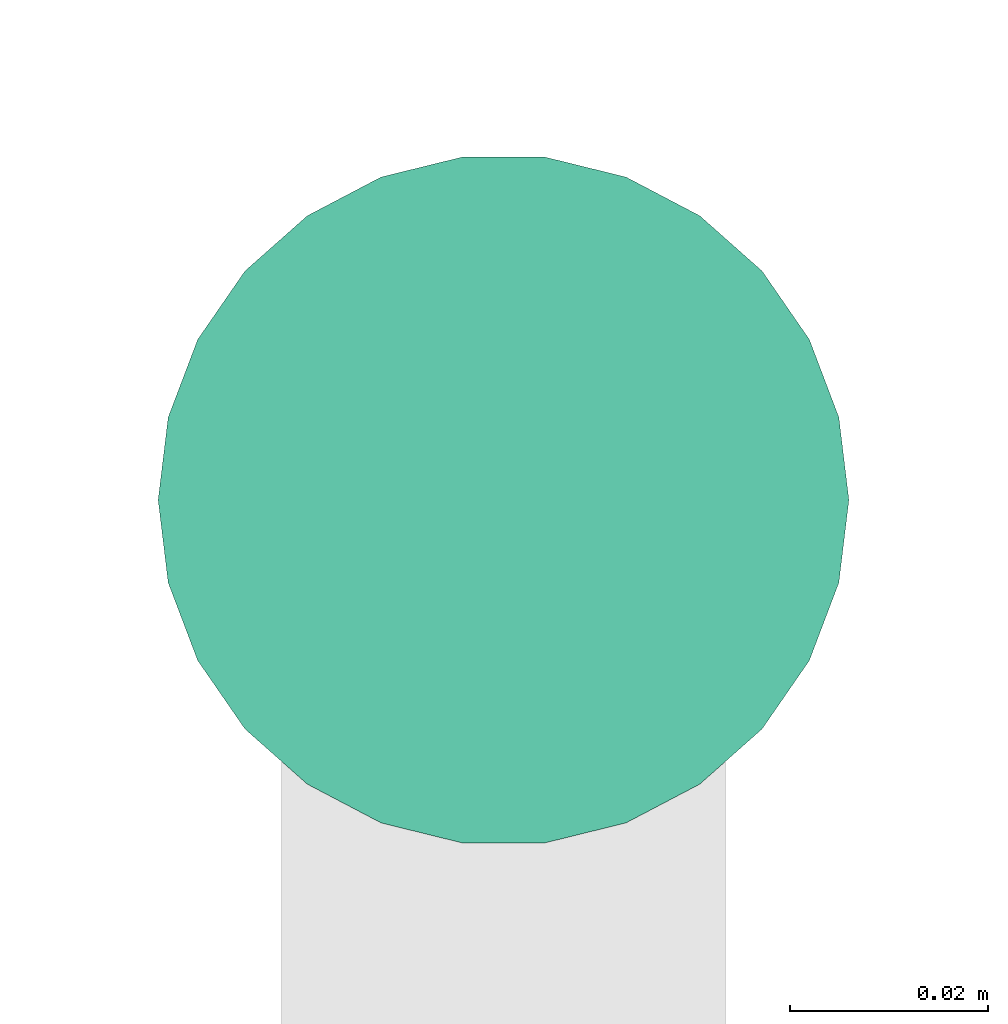
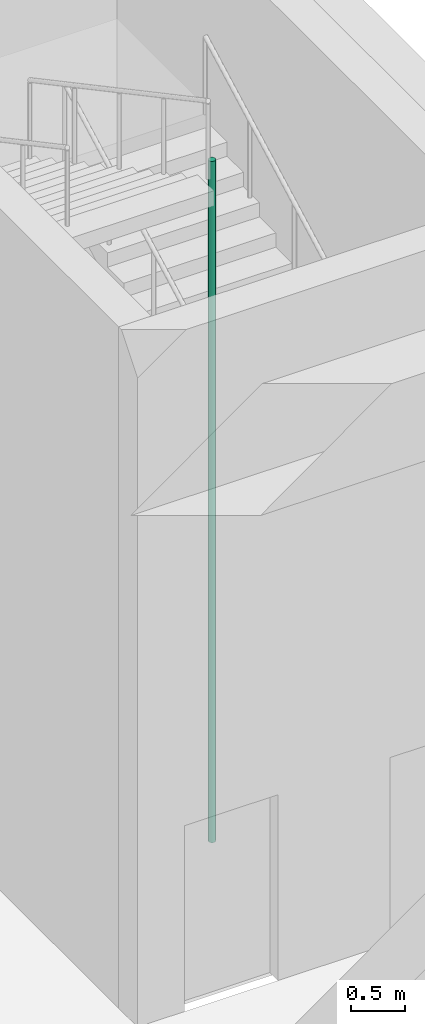
# One storey, part 27 of 33: 1 pipe segment.
"""IFC4 building model written with IfcOpenShell, lengths in metres."""

from ifc_helpers import new_model, si_unit, direction, frame, origin, origin_2d, place, context, subcontext, project, spatial, circle, extrude, element, save


model = new_model("IFC4")

# Units and contexts
model_context = context("Model", 3, precision=1e-05, world=origin(), true_north=direction((0.0, 1.0)))
body_context = subcontext(model_context, "Body", "Model", "MODEL_VIEW")
ifc_project = project(units=[si_unit("LENGTHUNIT", "METRE"), si_unit("AREAUNIT", "SQUARE_METRE"), si_unit("VOLUMEUNIT", "CUBIC_METRE"), si_unit("PLANEANGLEUNIT", "RADIAN"), si_unit("MASSUNIT", "GRAM", prefix="KILO")], contexts=[model_context])

# Site, building, storey
site_placement = place(None, origin())
site = spatial("IfcSite", under=ifc_project, at=site_placement, CompositionType="ELEMENT")
building_placement = place(site_placement, origin())
building = spatial("IfcBuilding", under=site, at=building_placement, Name="Nzadi Deep Aquarium and Research Tower", CompositionType="ELEMENT")
storey_placement = place(building_placement, frame((0.0, 0.0, 6.5)))
storey = spatial("IfcBuildingStorey", under=building, at=storey_placement, Name="L01", CompositionType="ELEMENT", Elevation=6.5)

# Pipe segment
pipe_segment_placement = place(storey_placement, frame((55.300048828125, 116.360107421875, 0.0), z_axis=(0.0, 0.0, 1.0), x_axis=(1.0, 0.0, 0.0)))
element("IfcPipeSegment", 1, at=pipe_segment_placement, inside=storey, Name="Dry riser ST-Z3-E L01", PredefinedType="RIGIDSEGMENT", context=body_context, shape_type="SweptSolid", body=[
    extrude(circle(Radius=0.034912109375, at=origin_2d()), origin(), (0.0, 0.0, 1.0), 7.699951171875),
])

save(model, "model.ifc")
